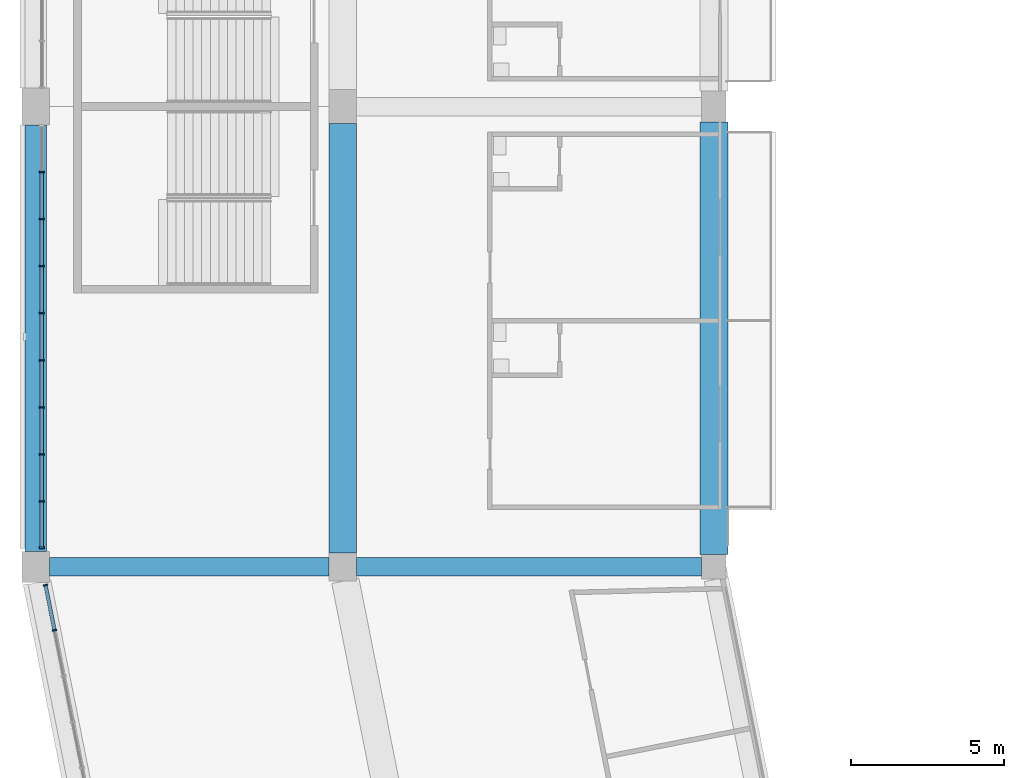
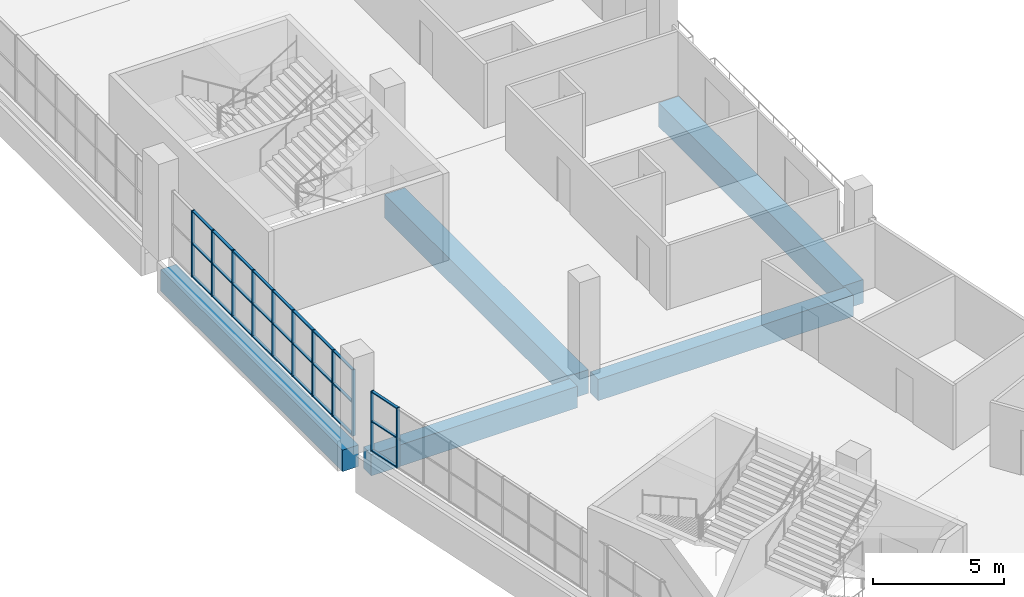
# One storey, part 10 of 199: 38 members, 5 beams, 2 elements without a shape of their own.
"""IFC4 building model written with IfcOpenShell, lengths in metres."""

from ifc_helpers import new_model, si_unit, direction, frame, origin, origin_2d, place, context, subcontext, project, spatial, rectangle, extrude, material, material_profile, profile_set, type_object, element, aggregate, save


model = new_model("IFC4")

# Units and contexts
model_context = context("Model", 3, precision=1e-05, world=origin(), true_north=direction((0.0, 1.0)))
body_context = subcontext(model_context, "Body", "Model", "MODEL_VIEW")
ifc_project = project(units=[si_unit("LENGTHUNIT", "METRE"), si_unit("AREAUNIT", "SQUARE_METRE"), si_unit("VOLUMEUNIT", "CUBIC_METRE"), si_unit("PLANEANGLEUNIT", "RADIAN"), si_unit("MASSUNIT", "GRAM", prefix="KILO")], contexts=[model_context])

# Site, building, storey
site_placement = place(None, origin())
site = spatial("IfcSite", under=ifc_project, at=site_placement, CompositionType="ELEMENT")
building_placement = place(site_placement, origin())
building = spatial("IfcBuilding", under=site, at=building_placement, Name="Ogive Plaza Stadium", CompositionType="ELEMENT")
storey_placement = place(building_placement, frame((0.0, 0.0, 9.0)))
storey = spatial("IfcBuildingStorey", under=building, at=storey_placement, Name="L02", CompositionType="ELEMENT", Elevation=9.0)

# Curtain wall, members
ifc_material_1 = material(Name="Bronze-anodised aluminium with laminated glass", Category="aluminium")
curtain_wall_type = type_object("IfcCurtainWallType", Name="Lancet curtain wall", PredefinedType="NOTDEFINED", material=ifc_material_1)
curtain_wall_1_placement = place(storey_placement, origin())
curtain_wall_1 = element("IfcCurtainWall", 1, at=curtain_wall_1_placement, inside=storey, type_object=curtain_wall_type, Name="CURTAIN WALL B20 L02", PredefinedType="NOTDEFINED")
ifc_material_2 = material(Name="Bronze-anodised aluminium", Category="aluminium")
ifc_material_profile_1 = material_profile(ifc_material_2, rectangle(XDim=0.14990234375, YDim=0.050048828125, at=origin_2d()), Name="AL 150x50")
ifc_profile_set_1 = profile_set([ifc_material_profile_1], Name="Bronze-anodised aluminium")
member_type_1 = type_object("IfcMemberType", Name="Curtain wall mullion 50x150", PredefinedType="MULLION", material=ifc_profile_set_1)
member_1_placement = place(storey_placement, frame((-83.3857421875, -54.5625, 0.0), z_axis=(0.0, 0.0, 1.0), x_axis=(-0.9807852804, -0.195090322033, 0.0)))
member_1 = element("IfcMember", 2, at=member_1_placement, type_object=member_type_1, Name="CW-B20-L02 mullion 12", PredefinedType="MULLION", context=body_context, shape_type="SweptSolid", body=[
    extrude(rectangle(XDim=0.14990234375, YDim=0.050048828125, at=origin_2d()), origin(), (0.0, 0.0, 1.0), 2.7900390625),
])
member_2_placement = place(storey_placement, frame((-83.677978515625, -53.093994140625, 0.0), z_axis=(0.0, 0.0, 1.0), x_axis=(-0.9807852804, -0.195090322033, 0.0)))
member_2 = element("IfcMember", 3, at=member_2_placement, type_object=member_type_1, Name="CW-B20-L02 mullion 13", PredefinedType="MULLION", context=body_context, shape_type="SweptSolid", body=[
    extrude(rectangle(XDim=0.14990234375, YDim=0.050048828125, at=origin_2d()), origin(), (0.0, 0.0, 1.0), 2.7900390625),
])

curtain_wall_2_placement = place(storey_placement, origin())
curtain_wall_2 = element("IfcCurtainWall", 4, at=curtain_wall_2_placement, inside=storey, type_object=curtain_wall_type, Name="CURTAIN WALL B21 L02", PredefinedType="NOTDEFINED")
member_3_placement = place(storey_placement, frame((-83.800048828125, -51.875, 0.0), z_axis=(0.0, 0.0, 1.0), x_axis=(-1.0, 0.0, 0.0)))
member_3 = element("IfcMember", 5, at=member_3_placement, type_object=member_type_1, Name="CW-B21-L02 mullion 1", PredefinedType="MULLION", context=body_context, shape_type="SweptSolid", body=[
    extrude(rectangle(XDim=0.14990234375, YDim=0.050048828125, at=origin_2d()), origin(), (0.0, 0.0, 1.0), 3.090087890625),
])
member_4_placement = place(storey_placement, frame((-83.800048828125, -50.36669921875, 0.0), z_axis=(0.0, 0.0, 1.0), x_axis=(-1.0, 0.0, 0.0)))
member_4 = element("IfcMember", 6, at=member_4_placement, type_object=member_type_1, Name="CW-B21-L02 mullion 2", PredefinedType="MULLION", context=body_context, shape_type="SweptSolid", body=[
    extrude(rectangle(XDim=0.14990234375, YDim=0.050048828125, at=origin_2d()), origin(), (0.0, 0.0, 1.0), 3.090087890625),
])
member_5_placement = place(storey_placement, frame((-83.800048828125, -48.833251953125, 0.0), z_axis=(0.0, 0.0, 1.0), x_axis=(-1.0, 0.0, 0.0)))
member_5 = element("IfcMember", 7, at=member_5_placement, type_object=member_type_1, Name="CW-B21-L02 mullion 3", PredefinedType="MULLION", context=body_context, shape_type="SweptSolid", body=[
    extrude(rectangle(XDim=0.14990234375, YDim=0.050048828125, at=origin_2d()), origin(), (0.0, 0.0, 1.0), 3.090087890625),
])
member_6_placement = place(storey_placement, frame((-83.800048828125, -47.300048828125, 0.0), z_axis=(0.0, 0.0, 1.0), x_axis=(-1.0, 0.0, 0.0)))
member_6 = element("IfcMember", 8, at=member_6_placement, type_object=member_type_1, Name="CW-B21-L02 mullion 4", PredefinedType="MULLION", context=body_context, shape_type="SweptSolid", body=[
    extrude(rectangle(XDim=0.14990234375, YDim=0.050048828125, at=origin_2d()), origin(), (0.0, 0.0, 1.0), 3.090087890625),
])
member_7_placement = place(storey_placement, frame((-83.800048828125, -45.7666015625, 0.0), z_axis=(0.0, 0.0, 1.0), x_axis=(-1.0, 0.0, 0.0)))
member_7 = element("IfcMember", 9, at=member_7_placement, type_object=member_type_1, Name="CW-B21-L02 mullion 5", PredefinedType="MULLION", context=body_context, shape_type="SweptSolid", body=[
    extrude(rectangle(XDim=0.14990234375, YDim=0.050048828125, at=origin_2d()), origin(), (0.0, 0.0, 1.0), 3.090087890625),
])
member_8_placement = place(storey_placement, frame((-83.800048828125, -44.2333984375, 0.0), z_axis=(0.0, 0.0, 1.0), x_axis=(-1.0, 0.0, 0.0)))
member_8 = element("IfcMember", 10, at=member_8_placement, type_object=member_type_1, Name="CW-B21-L02 mullion 6", PredefinedType="MULLION", context=body_context, shape_type="SweptSolid", body=[
    extrude(rectangle(XDim=0.14990234375, YDim=0.050048828125, at=origin_2d()), origin(), (0.0, 0.0, 1.0), 3.090087890625),
])
member_9_placement = place(storey_placement, frame((-83.800048828125, -42.699951171875, 0.0), z_axis=(0.0, 0.0, 1.0), x_axis=(-1.0, 0.0, 0.0)))
member_9 = element("IfcMember", 11, at=member_9_placement, type_object=member_type_1, Name="CW-B21-L02 mullion 7", PredefinedType="MULLION", context=body_context, shape_type="SweptSolid", body=[
    extrude(rectangle(XDim=0.14990234375, YDim=0.050048828125, at=origin_2d()), origin(), (0.0, 0.0, 1.0), 3.090087890625),
])
member_10_placement = place(storey_placement, frame((-83.800048828125, -41.166748046875, 0.0), z_axis=(0.0, 0.0, 1.0), x_axis=(-1.0, 0.0, 0.0)))
member_10 = element("IfcMember", 12, at=member_10_placement, type_object=member_type_1, Name="CW-B21-L02 mullion 8", PredefinedType="MULLION", context=body_context, shape_type="SweptSolid", body=[
    extrude(rectangle(XDim=0.14990234375, YDim=0.050048828125, at=origin_2d()), origin(), (0.0, 0.0, 1.0), 3.090087890625),
])
member_11_placement = place(storey_placement, frame((-83.800048828125, -39.63330078125, 0.0), z_axis=(0.0, 0.0, 1.0), x_axis=(-1.0, 0.0, 0.0)))
member_11 = element("IfcMember", 13, at=member_11_placement, type_object=member_type_1, Name="CW-B21-L02 mullion 9", PredefinedType="MULLION", context=body_context, shape_type="SweptSolid", body=[
    extrude(rectangle(XDim=0.14990234375, YDim=0.050048828125, at=origin_2d()), origin(), (0.0, 0.0, 1.0), 3.090087890625),
])

# Member
ifc_material_3 = material(Name="Bronze-anodised aluminium", Category="aluminium")
ifc_material_profile_2 = material_profile(ifc_material_3, rectangle(XDim=0.1201171875, YDim=0.050048828125, at=origin_2d()), Name="AL 120x50")
ifc_profile_set_2 = profile_set([ifc_material_profile_2], Name="Bronze-anodised aluminium")
member_type_2 = type_object("IfcMemberType", Name="Curtain wall transom 50x120", PredefinedType="USERDEFINED", material=ifc_profile_set_2)
member_12_placement = place(storey_placement, frame((-83.390625, -54.5380859375, 0.02490234375), z_axis=(-0.195175269199, 0.980768379534, 0.0), x_axis=(-0.980768379534, -0.195175269199, 0.0)))
member_12 = element("IfcMember", 14, at=member_12_placement, type_object=member_type_2, Name="CW-B20-L02 transom 12.1", ObjectType="TRANSOM", PredefinedType="USERDEFINED", context=body_context, shape_type="SweptSolid", body=[
    extrude(rectangle(XDim=0.1201171875, YDim=0.050048828125, at=origin_2d()), origin(), (0.0, 0.0, 1.0), 1.447265625),
])

member_13_placement = place(storey_placement, frame((-83.390625, -54.5380859375, 1.39501953125), z_axis=(-0.195175269199, 0.980768379534, 0.0), x_axis=(-0.980768379534, -0.195175269199, 0.0)))
member_13 = element("IfcMember", 15, at=member_13_placement, type_object=member_type_2, Name="CW-B20-L02 transom 12.2", ObjectType="TRANSOM", PredefinedType="USERDEFINED", context=body_context, shape_type="SweptSolid", body=[
    extrude(rectangle(XDim=0.1201171875, YDim=0.050048828125, at=origin_2d()), origin(), (0.0, 0.0, 1.0), 1.447265625),
])

member_14_placement = place(storey_placement, frame((-83.390625, -54.5380859375, 2.764892578125), z_axis=(-0.195175269199, 0.980768379534, 0.0), x_axis=(-0.980768379534, -0.195175269199, 0.0)))
member_14 = element("IfcMember", 16, at=member_14_placement, type_object=member_type_2, Name="CW-B20-L02 transom 12.3", ObjectType="TRANSOM", PredefinedType="USERDEFINED", context=body_context, shape_type="SweptSolid", body=[
    extrude(rectangle(XDim=0.1201171875, YDim=0.050048828125, at=origin_2d()), origin(), (0.0, 0.0, 1.0), 1.447265625),
])

aggregate(curtain_wall_1, [member_1, member_2, member_12, member_13, member_14])

member_15_placement = place(storey_placement, frame((-83.800048828125, -51.85009765625, 0.02490234375), z_axis=(0.0, 1.0, 0.0), x_axis=(-1.0, 0.0, 0.0)))
member_15 = element("IfcMember", 17, at=member_15_placement, type_object=member_type_2, Name="CW-B21-L02 transom 1.1", ObjectType="TRANSOM", PredefinedType="USERDEFINED", context=body_context, shape_type="SweptSolid", body=[
    extrude(rectangle(XDim=0.1201171875, YDim=0.050048828125, at=origin_2d()), origin(), (0.0, 0.0, 1.0), 1.45849609375),
])

member_16_placement = place(storey_placement, frame((-83.800048828125, -51.85009765625, 1.544921875), z_axis=(0.0, 1.0, 0.0), x_axis=(-1.0, 0.0, 0.0)))
member_16 = element("IfcMember", 18, at=member_16_placement, type_object=member_type_2, Name="CW-B21-L02 transom 1.2", ObjectType="TRANSOM", PredefinedType="USERDEFINED", context=body_context, shape_type="SweptSolid", body=[
    extrude(rectangle(XDim=0.1201171875, YDim=0.050048828125, at=origin_2d()), origin(), (0.0, 0.0, 1.0), 1.45849609375),
])

member_17_placement = place(storey_placement, frame((-83.800048828125, -51.85009765625, 3.06494140625), z_axis=(0.0, 1.0, 0.0), x_axis=(-1.0, 0.0, 0.0)))
member_17 = element("IfcMember", 19, at=member_17_placement, type_object=member_type_2, Name="CW-B21-L02 transom 1.3", ObjectType="TRANSOM", PredefinedType="USERDEFINED", context=body_context, shape_type="SweptSolid", body=[
    extrude(rectangle(XDim=0.1201171875, YDim=0.050048828125, at=origin_2d()), origin(), (0.0, 0.0, 1.0), 1.45849609375),
])

member_18_placement = place(storey_placement, frame((-83.800048828125, -50.341552734375, 0.02490234375), z_axis=(0.0, 1.0, 0.0), x_axis=(-1.0, 0.0, 0.0)))
member_18 = element("IfcMember", 20, at=member_18_placement, type_object=member_type_2, Name="CW-B21-L02 transom 2.1", ObjectType="TRANSOM", PredefinedType="USERDEFINED", context=body_context, shape_type="SweptSolid", body=[
    extrude(rectangle(XDim=0.1201171875, YDim=0.050048828125, at=origin_2d()), origin(), (0.0, 0.0, 1.0), 1.483154296875),
])

member_19_placement = place(storey_placement, frame((-83.800048828125, -50.341552734375, 1.544921875), z_axis=(0.0, 1.0, 0.0), x_axis=(-1.0, 0.0, 0.0)))
member_19 = element("IfcMember", 21, at=member_19_placement, type_object=member_type_2, Name="CW-B21-L02 transom 2.2", ObjectType="TRANSOM", PredefinedType="USERDEFINED", context=body_context, shape_type="SweptSolid", body=[
    extrude(rectangle(XDim=0.1201171875, YDim=0.050048828125, at=origin_2d()), origin(), (0.0, 0.0, 1.0), 1.483154296875),
])

member_20_placement = place(storey_placement, frame((-83.800048828125, -50.341552734375, 3.06494140625), z_axis=(0.0, 1.0, 0.0), x_axis=(-1.0, 0.0, 0.0)))
member_20 = element("IfcMember", 22, at=member_20_placement, type_object=member_type_2, Name="CW-B21-L02 transom 2.3", ObjectType="TRANSOM", PredefinedType="USERDEFINED", context=body_context, shape_type="SweptSolid", body=[
    extrude(rectangle(XDim=0.1201171875, YDim=0.050048828125, at=origin_2d()), origin(), (0.0, 0.0, 1.0), 1.483154296875),
])

member_21_placement = place(storey_placement, frame((-83.800048828125, -48.808349609375, 0.02490234375), z_axis=(0.0, 1.0, 0.0), x_axis=(-1.0, 0.0, 0.0)))
member_21 = element("IfcMember", 23, at=member_21_placement, type_object=member_type_2, Name="CW-B21-L02 transom 3.1", ObjectType="TRANSOM", PredefinedType="USERDEFINED", context=body_context, shape_type="SweptSolid", body=[
    extrude(rectangle(XDim=0.1201171875, YDim=0.050048828125, at=origin_2d()), origin(), (0.0, 0.0, 1.0), 1.4833984375),
])

member_22_placement = place(storey_placement, frame((-83.800048828125, -48.808349609375, 1.544921875), z_axis=(0.0, 1.0, 0.0), x_axis=(-1.0, 0.0, 0.0)))
member_22 = element("IfcMember", 24, at=member_22_placement, type_object=member_type_2, Name="CW-B21-L02 transom 3.2", ObjectType="TRANSOM", PredefinedType="USERDEFINED", context=body_context, shape_type="SweptSolid", body=[
    extrude(rectangle(XDim=0.1201171875, YDim=0.050048828125, at=origin_2d()), origin(), (0.0, 0.0, 1.0), 1.4833984375),
])

member_23_placement = place(storey_placement, frame((-83.800048828125, -48.808349609375, 3.06494140625), z_axis=(0.0, 1.0, 0.0), x_axis=(-1.0, 0.0, 0.0)))
member_23 = element("IfcMember", 25, at=member_23_placement, type_object=member_type_2, Name="CW-B21-L02 transom 3.3", ObjectType="TRANSOM", PredefinedType="USERDEFINED", context=body_context, shape_type="SweptSolid", body=[
    extrude(rectangle(XDim=0.1201171875, YDim=0.050048828125, at=origin_2d()), origin(), (0.0, 0.0, 1.0), 1.4833984375),
])

member_24_placement = place(storey_placement, frame((-83.800048828125, -47.27490234375, 0.02490234375), z_axis=(0.0, 1.0, 0.0), x_axis=(-1.0, 0.0, 0.0)))
member_24 = element("IfcMember", 26, at=member_24_placement, type_object=member_type_2, Name="CW-B21-L02 transom 4.1", ObjectType="TRANSOM", PredefinedType="USERDEFINED", context=body_context, shape_type="SweptSolid", body=[
    extrude(rectangle(XDim=0.1201171875, YDim=0.050048828125, at=origin_2d()), origin(), (0.0, 0.0, 1.0), 1.483154296875),
])

member_25_placement = place(storey_placement, frame((-83.800048828125, -47.27490234375, 1.544921875), z_axis=(0.0, 1.0, 0.0), x_axis=(-1.0, 0.0, 0.0)))
member_25 = element("IfcMember", 27, at=member_25_placement, type_object=member_type_2, Name="CW-B21-L02 transom 4.2", ObjectType="TRANSOM", PredefinedType="USERDEFINED", context=body_context, shape_type="SweptSolid", body=[
    extrude(rectangle(XDim=0.1201171875, YDim=0.050048828125, at=origin_2d()), origin(), (0.0, 0.0, 1.0), 1.483154296875),
])

member_26_placement = place(storey_placement, frame((-83.800048828125, -47.27490234375, 3.06494140625), z_axis=(0.0, 1.0, 0.0), x_axis=(-1.0, 0.0, 0.0)))
member_26 = element("IfcMember", 28, at=member_26_placement, type_object=member_type_2, Name="CW-B21-L02 transom 4.3", ObjectType="TRANSOM", PredefinedType="USERDEFINED", context=body_context, shape_type="SweptSolid", body=[
    extrude(rectangle(XDim=0.1201171875, YDim=0.050048828125, at=origin_2d()), origin(), (0.0, 0.0, 1.0), 1.483154296875),
])

member_27_placement = place(storey_placement, frame((-83.800048828125, -45.74169921875, 0.02490234375), z_axis=(0.0, 1.0, 0.0), x_axis=(-1.0, 0.0, 0.0)))
member_27 = element("IfcMember", 29, at=member_27_placement, type_object=member_type_2, Name="CW-B21-L02 transom 5.1", ObjectType="TRANSOM", PredefinedType="USERDEFINED", context=body_context, shape_type="SweptSolid", body=[
    extrude(rectangle(XDim=0.1201171875, YDim=0.050048828125, at=origin_2d()), origin(), (0.0, 0.0, 1.0), 1.4833984375),
])

member_28_placement = place(storey_placement, frame((-83.800048828125, -45.74169921875, 1.544921875), z_axis=(0.0, 1.0, 0.0), x_axis=(-1.0, 0.0, 0.0)))
member_28 = element("IfcMember", 30, at=member_28_placement, type_object=member_type_2, Name="CW-B21-L02 transom 5.2", ObjectType="TRANSOM", PredefinedType="USERDEFINED", context=body_context, shape_type="SweptSolid", body=[
    extrude(rectangle(XDim=0.1201171875, YDim=0.050048828125, at=origin_2d()), origin(), (0.0, 0.0, 1.0), 1.4833984375),
])

member_29_placement = place(storey_placement, frame((-83.800048828125, -45.74169921875, 3.06494140625), z_axis=(0.0, 1.0, 0.0), x_axis=(-1.0, 0.0, 0.0)))
member_29 = element("IfcMember", 31, at=member_29_placement, type_object=member_type_2, Name="CW-B21-L02 transom 5.3", ObjectType="TRANSOM", PredefinedType="USERDEFINED", context=body_context, shape_type="SweptSolid", body=[
    extrude(rectangle(XDim=0.1201171875, YDim=0.050048828125, at=origin_2d()), origin(), (0.0, 0.0, 1.0), 1.4833984375),
])

member_30_placement = place(storey_placement, frame((-83.800048828125, -44.208251953125, 0.02490234375), z_axis=(0.0, 1.0, 0.0), x_axis=(-1.0, 0.0, 0.0)))
member_30 = element("IfcMember", 32, at=member_30_placement, type_object=member_type_2, Name="CW-B21-L02 transom 6.1", ObjectType="TRANSOM", PredefinedType="USERDEFINED", context=body_context, shape_type="SweptSolid", body=[
    extrude(rectangle(XDim=0.1201171875, YDim=0.050048828125, at=origin_2d()), origin(), (0.0, 0.0, 1.0), 1.483154296875),
])

member_31_placement = place(storey_placement, frame((-83.800048828125, -44.208251953125, 1.544921875), z_axis=(0.0, 1.0, 0.0), x_axis=(-1.0, 0.0, 0.0)))
member_31 = element("IfcMember", 33, at=member_31_placement, type_object=member_type_2, Name="CW-B21-L02 transom 6.2", ObjectType="TRANSOM", PredefinedType="USERDEFINED", context=body_context, shape_type="SweptSolid", body=[
    extrude(rectangle(XDim=0.1201171875, YDim=0.050048828125, at=origin_2d()), origin(), (0.0, 0.0, 1.0), 1.483154296875),
])

member_32_placement = place(storey_placement, frame((-83.800048828125, -44.208251953125, 3.06494140625), z_axis=(0.0, 1.0, 0.0), x_axis=(-1.0, 0.0, 0.0)))
member_32 = element("IfcMember", 34, at=member_32_placement, type_object=member_type_2, Name="CW-B21-L02 transom 6.3", ObjectType="TRANSOM", PredefinedType="USERDEFINED", context=body_context, shape_type="SweptSolid", body=[
    extrude(rectangle(XDim=0.1201171875, YDim=0.050048828125, at=origin_2d()), origin(), (0.0, 0.0, 1.0), 1.483154296875),
])

member_33_placement = place(storey_placement, frame((-83.800048828125, -42.675048828125, 0.02490234375), z_axis=(0.0, 1.0, 0.0), x_axis=(-1.0, 0.0, 0.0)))
member_33 = element("IfcMember", 35, at=member_33_placement, type_object=member_type_2, Name="CW-B21-L02 transom 7.1", ObjectType="TRANSOM", PredefinedType="USERDEFINED", context=body_context, shape_type="SweptSolid", body=[
    extrude(rectangle(XDim=0.1201171875, YDim=0.050048828125, at=origin_2d()), origin(), (0.0, 0.0, 1.0), 1.4833984375),
])

member_34_placement = place(storey_placement, frame((-83.800048828125, -42.675048828125, 1.544921875), z_axis=(0.0, 1.0, 0.0), x_axis=(-1.0, 0.0, 0.0)))
member_34 = element("IfcMember", 36, at=member_34_placement, type_object=member_type_2, Name="CW-B21-L02 transom 7.2", ObjectType="TRANSOM", PredefinedType="USERDEFINED", context=body_context, shape_type="SweptSolid", body=[
    extrude(rectangle(XDim=0.1201171875, YDim=0.050048828125, at=origin_2d()), origin(), (0.0, 0.0, 1.0), 1.4833984375),
])

member_35_placement = place(storey_placement, frame((-83.800048828125, -42.675048828125, 3.06494140625), z_axis=(0.0, 1.0, 0.0), x_axis=(-1.0, 0.0, 0.0)))
member_35 = element("IfcMember", 37, at=member_35_placement, type_object=member_type_2, Name="CW-B21-L02 transom 7.3", ObjectType="TRANSOM", PredefinedType="USERDEFINED", context=body_context, shape_type="SweptSolid", body=[
    extrude(rectangle(XDim=0.1201171875, YDim=0.050048828125, at=origin_2d()), origin(), (0.0, 0.0, 1.0), 1.4833984375),
])

member_36_placement = place(storey_placement, frame((-83.800048828125, -41.1416015625, 0.02490234375), z_axis=(0.0, 1.0, 0.0), x_axis=(-1.0, 0.0, 0.0)))
member_36 = element("IfcMember", 38, at=member_36_placement, type_object=member_type_2, Name="CW-B21-L02 transom 8.1", ObjectType="TRANSOM", PredefinedType="USERDEFINED", context=body_context, shape_type="SweptSolid", body=[
    extrude(rectangle(XDim=0.1201171875, YDim=0.050048828125, at=origin_2d()), origin(), (0.0, 0.0, 1.0), 1.483154296875),
])

member_37_placement = place(storey_placement, frame((-83.800048828125, -41.1416015625, 1.544921875), z_axis=(0.0, 1.0, 0.0), x_axis=(-1.0, 0.0, 0.0)))
member_37 = element("IfcMember", 39, at=member_37_placement, type_object=member_type_2, Name="CW-B21-L02 transom 8.2", ObjectType="TRANSOM", PredefinedType="USERDEFINED", context=body_context, shape_type="SweptSolid", body=[
    extrude(rectangle(XDim=0.1201171875, YDim=0.050048828125, at=origin_2d()), origin(), (0.0, 0.0, 1.0), 1.483154296875),
])

member_38_placement = place(storey_placement, frame((-83.800048828125, -41.1416015625, 3.06494140625), z_axis=(0.0, 1.0, 0.0), x_axis=(-1.0, 0.0, 0.0)))
member_38 = element("IfcMember", 40, at=member_38_placement, type_object=member_type_2, Name="CW-B21-L02 transom 8.3", ObjectType="TRANSOM", PredefinedType="USERDEFINED", context=body_context, shape_type="SweptSolid", body=[
    extrude(rectangle(XDim=0.1201171875, YDim=0.050048828125, at=origin_2d()), origin(), (0.0, 0.0, 1.0), 1.483154296875),
])

aggregate(curtain_wall_2, [member_3, member_4, member_5, member_6, member_7, member_8, member_9, member_10, member_11, member_15, member_16, member_17, member_18, member_19, member_20, member_21, member_22, member_23, member_24, member_25, member_26, member_27, member_28, member_29, member_30, member_31, member_32, member_33, member_34, member_35, member_36, member_37, member_38])

# Beams
ifc_material_4 = material(Name="Concrete C40/50", Category="concrete")
ifc_material_profile_3 = material_profile(ifc_material_4, rectangle(XDim=0.60009765625, YDim=1.0, at=origin_2d()), Name="RC 600x1000")
ifc_profile_set_3 = profile_set([ifc_material_profile_3], Name="Concrete C40/50")
beam_type_1 = type_object("IfcBeamType", Name="RC radial beam 600x1000", PredefinedType="BEAM", material=ifc_profile_set_3)
beam_1_placement = place(storey_placement, frame((-62.300048828125, -52.5, -0.909912109375), z_axis=(-1.0, 0.0, 0.0), x_axis=(0.0, -1.0, 0.0)))
element("IfcBeam", 41, at=beam_1_placement, inside=storey, type_object=beam_type_1, Name="Radial beam L02 R21 F3F4", PredefinedType="BEAM", context=body_context, shape_type="SweptSolid", body=[
    extrude(rectangle(XDim=0.60009765625, YDim=1.0, at=origin_2d()), origin(), (0.0, 0.0, 1.0), 11.25),
])
beam_2_placement = place(storey_placement, frame((-74.449951171875, -52.5, -0.909912109375), z_axis=(-1.0, 0.0, 0.0), x_axis=(0.0, -1.0, 0.0)))
element("IfcBeam", 42, at=beam_2_placement, inside=storey, type_object=beam_type_1, Name="Radial beam L02 R21 F4F5", PredefinedType="BEAM", context=body_context, shape_type="SweptSolid", body=[
    extrude(rectangle(XDim=0.60009765625, YDim=1.0, at=origin_2d()), origin(), (0.0, 0.0, 1.0), 9.10009765625),
])
ifc_material_5 = material(Name="Concrete C40/50", Category="concrete")
ifc_material_profile_4 = material_profile(ifc_material_5, rectangle(XDim=0.89990234375, YDim=1.10009765625, at=origin_2d()), Name="RC 900x1100")
ifc_profile_set_4 = profile_set([ifc_material_profile_4], Name="Concrete C40/50")
beam_type_2 = type_object("IfcBeamType", Name="RC ring beam 900x1100", PredefinedType="BEAM", material=ifc_profile_set_4)
beam_3_placement = place(storey_placement, frame((-74.0, -52.050048828125, -0.9599609375), z_axis=(0.0, 1.0, 0.0), x_axis=(-1.0, 0.0, 0.0)))
element("IfcBeam", 43, at=beam_3_placement, inside=storey, type_object=beam_type_2, Name="Ring beam F4 L02 B21", PredefinedType="BEAM", context=body_context, shape_type="SweptSolid", body=[
    extrude(rectangle(XDim=0.89990234375, YDim=1.10009765625, at=origin_2d()), origin(), (0.0, 0.0, 1.0), 14.0),
])
beam_4_placement = place(storey_placement, frame((-61.89990234375, -52.10009765625, -0.9599609375), z_axis=(0.0, 1.0, 0.0), x_axis=(-1.0, 0.0, 0.0)))
element("IfcBeam", 44, at=beam_4_placement, inside=storey, type_object=beam_type_2, Name="Ring beam F3 L02 B21", PredefinedType="BEAM", context=body_context, shape_type="SweptSolid", body=[
    extrude(rectangle(XDim=0.89990234375, YDim=1.10009765625, at=origin_2d()), origin(), (0.0, 0.0, 1.0), 14.10009765625),
])
ifc_material_6 = material(Name="Concrete C40/50", Category="concrete")
ifc_material_profile_5 = material_profile(ifc_material_6, rectangle(XDim=0.699951171875, YDim=1.0, at=origin_2d()), Name="RC 700x1000")
ifc_profile_set_5 = profile_set([ifc_material_profile_5], Name="Concrete C40/50")
beam_type_3 = type_object("IfcBeamType", Name="RC spandrel beam 700x1000", PredefinedType="SPANDREL", material=ifc_profile_set_5)
beam_5_placement = place(storey_placement, frame((-84.0, -52.0, -0.909912109375), z_axis=(0.0, 1.0, 0.0), x_axis=(-1.0, 0.0, 0.0)))
element("IfcBeam", 45, at=beam_5_placement, inside=storey, type_object=beam_type_3, Name="Ring beam F5 L02 B21", PredefinedType="SPANDREL", context=body_context, shape_type="SweptSolid", body=[
    extrude(rectangle(XDim=0.699951171875, YDim=1.0, at=origin_2d()), origin(), (0.0, 0.0, 1.0), 13.89990234375),
])

save(model, "model.ifc")
